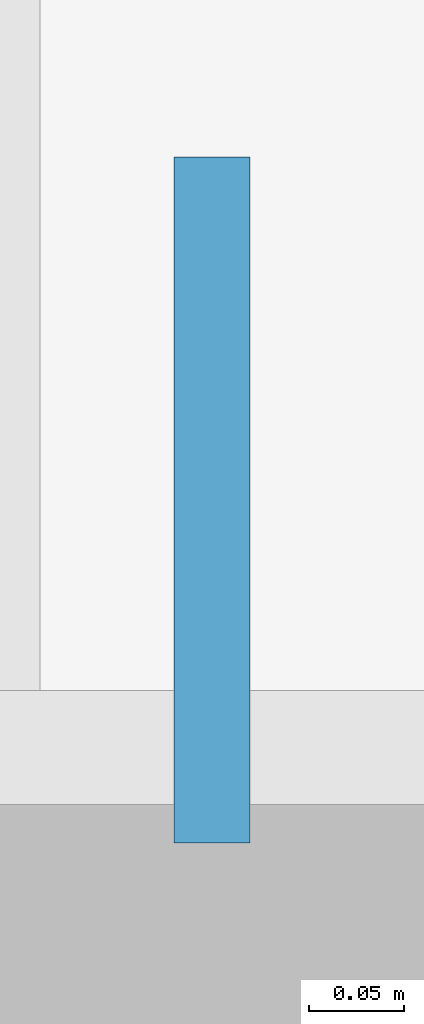
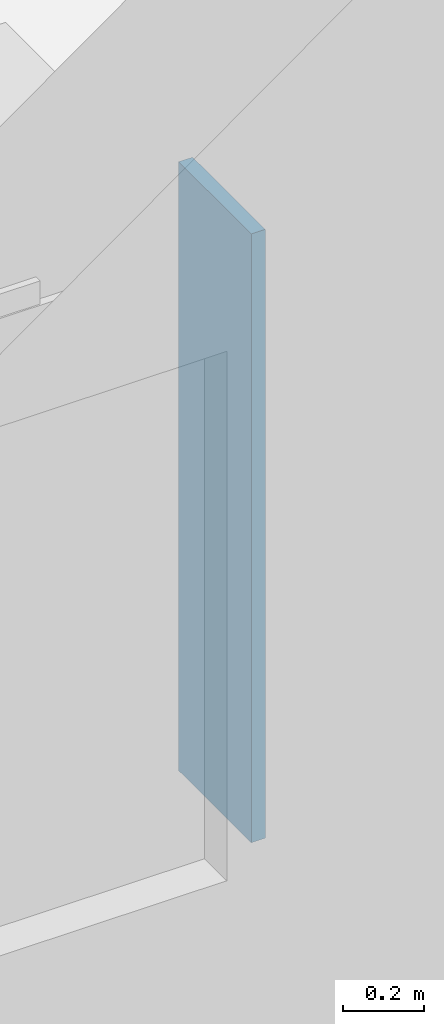
# One storey, part 86 of 123: 1 plate.
"""IFC4 building model written with IfcOpenShell, lengths in metres."""

from ifc_helpers import new_model, si_unit, direction, frame, origin, origin_2d, place, context, subcontext, project, spatial, rectangle, extrude, material, layer, layer_set, type_object, element, save


model = new_model("IFC4")

# Units and contexts
model_context = context("Model", 3, precision=1e-05, world=origin(), true_north=direction((0.0, 1.0)))
body_context = subcontext(model_context, "Body", "Model", "MODEL_VIEW")
ifc_project = project(units=[si_unit("LENGTHUNIT", "METRE"), si_unit("AREAUNIT", "SQUARE_METRE"), si_unit("VOLUMEUNIT", "CUBIC_METRE"), si_unit("PLANEANGLEUNIT", "RADIAN"), si_unit("MASSUNIT", "GRAM", prefix="KILO")], contexts=[model_context])

# Site, building, storey
site_placement = place(None, origin())
site = spatial("IfcSite", under=ifc_project, at=site_placement, CompositionType="ELEMENT")
building_placement = place(site_placement, origin())
building = spatial("IfcBuilding", under=site, at=building_placement, Name="Tenunan Teduh Sports Hall", CompositionType="ELEMENT")
storey_placement = place(building_placement, origin())
storey = spatial("IfcBuildingStorey", under=building, at=storey_placement, Name="L00", CompositionType="ELEMENT", Elevation=0.0)

# Plate
ifc_material = material(Name="Anodised aluminium", Category="aluminium")
ifc_layer = layer(ifc_material, 1.89990234375)
ifc_layer_set = layer_set([ifc_layer], Name="Anodised aluminium")
plate_type = type_object("IfcPlateType", Name="PLT-FIN-1", PredefinedType="SHEET", material=ifc_layer_set)
plate_placement = place(storey_placement, frame((127.945068359375, 118.300048828125, 0.97998046875), z_axis=(0.0, 0.0, 1.0), x_axis=(1.0, 0.0, 0.0)))
element("IfcPlate", 1, at=plate_placement, inside=storey, type_object=plate_type, Name="PLT-FIN-L00-077", PredefinedType="SHEET", context=body_context, shape_type="SweptSolid", body=[
    extrude(rectangle(XDim=0.0400390625, YDim=0.360107421875, at=origin_2d()), origin(), (0.0, 0.0, 1.0), 1.840087890625),
])

save(model, "model.ifc")
